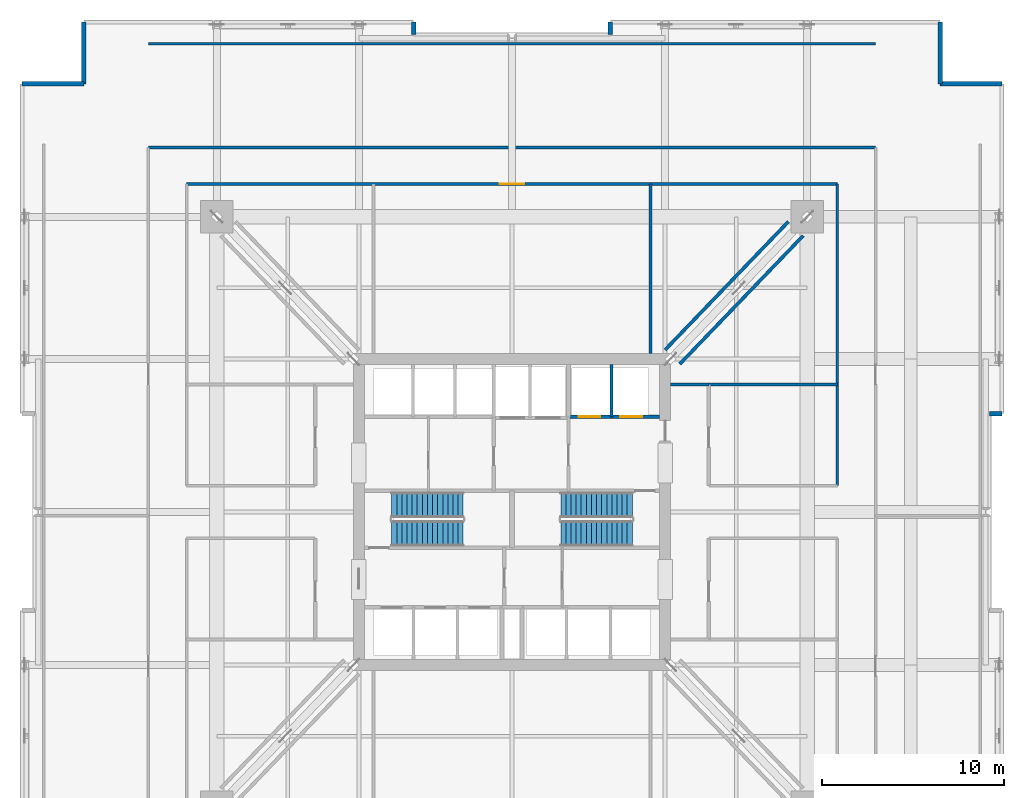
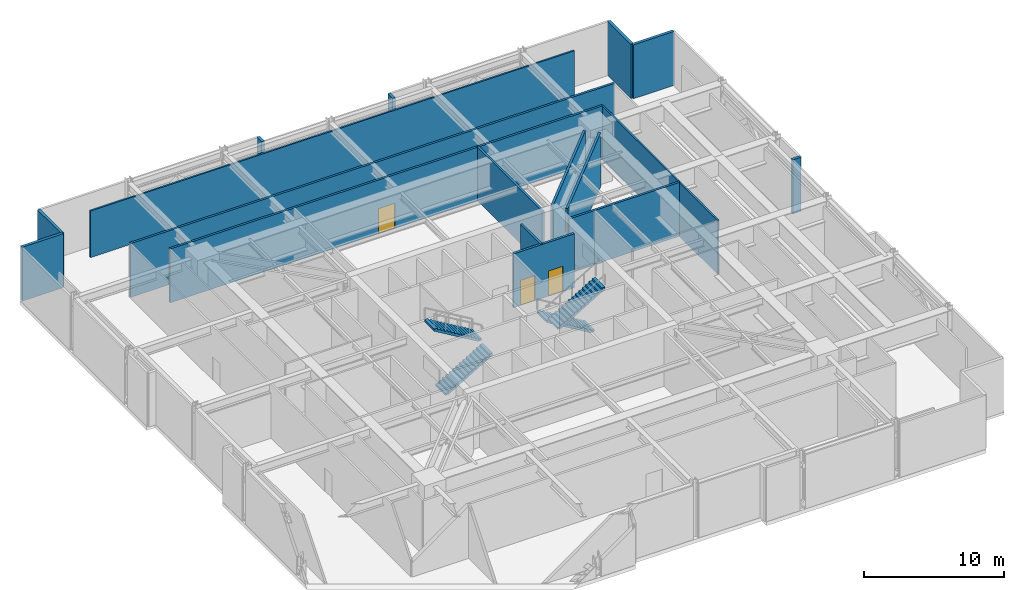
# One storey, part 9 of 13: 18 walls, 4 stair flights, 3 doors, 3 openings, 2 elements without a shape of their own.
"""IFC4 building model written with IfcOpenShell, lengths in metres."""

from ifc_helpers import new_model, si_unit, direction, frame, frame_2d, origin, place, context, subcontext, project, spatial, polyline, rectangle, outline, extrude, material, layer, layer_set, type_object, element, fill, aggregate, save


model = new_model("IFC4")

# Units and contexts
model_context = context("Model", 3, precision=1e-05, world=origin(), true_north=direction((0.0, 1.0)))
body_context = subcontext(model_context, "Body", "Model", "MODEL_VIEW")
ifc_project = project(units=[si_unit("LENGTHUNIT", "METRE"), si_unit("AREAUNIT", "SQUARE_METRE"), si_unit("VOLUMEUNIT", "CUBIC_METRE"), si_unit("PLANEANGLEUNIT", "RADIAN"), si_unit("MASSUNIT", "GRAM", prefix="KILO")], contexts=[model_context])

# Site, building, storey
site_placement = place(None, origin())
site = spatial("IfcSite", under=ifc_project, at=site_placement, CompositionType="ELEMENT")
building_placement = place(site_placement, origin())
building = spatial("IfcBuilding", under=site, at=building_placement, Name="Drelvath Grand Hotel", CompositionType="ELEMENT")
storey_placement = place(building_placement, frame((0.0, 0.0, 82.199951171875)))
storey = spatial("IfcBuildingStorey", under=building, at=storey_placement, Name="L20", CompositionType="ELEMENT", Elevation=82.199951171875)

# Wall, openings, doors
ifc_material_1 = material(Name="Concrete C40/50", Category="concrete")
ifc_layer_1 = layer(ifc_material_1, 0.199951171875)
ifc_layer_set_1 = layer_set([ifc_layer_1], Name="Concrete C40/50")
wall_type_1 = type_object("IfcWallType", Name="Core Hoistway Fire Wall 200", PredefinedType="SOLIDWALL", material=ifc_layer_set_1)
wall_1_placement = place(storey_placement, frame((3.10009765625, 32.219970703125, 0.0), z_axis=(0.0, 0.0, 1.0), x_axis=(1.0, 0.0, 0.0)))
wall_1 = element("IfcWall", 1, at=wall_1_placement, inside=storey, type_object=wall_type_1, Name="L20 FSAE Hoistway Front Wall", PredefinedType="SOLIDWALL", context=body_context, shape_type="SweptSolid", body=[
    extrude(rectangle(XDim=5.0, YDim=0.199951171875, at=frame_2d((2.5, 0.0))), origin(), (0.0, 0.0, 1.0), 4.699951171875),
])
opening_1_placement = place(wall_1_placement, frame((0.550048828125, 0.0, 0.0)))
opening_1 = element("IfcOpeningElement", 2, at=opening_1_placement, cuts=wall_1, Name="Opening LD-FSAE-1", PredefinedType="OPENING", context=body_context, shape_type="SweptSolid", body=[
    extrude(rectangle(XDim=1.199951171875, YDim=2.199951171875, at=frame_2d((0.60009765625, 1.10009765625))), frame((0.0, 0.10986328125, 0.0), z_axis=(0.0, -1.0, 0.0), x_axis=(1.0, 0.0, 0.0)), (0.0, 0.0, 1.0), 0.219970703125),
])
opening_2_placement = place(wall_1_placement, frame((2.85009765625, 0.0, 0.0)))
opening_2 = element("IfcOpeningElement", 3, at=opening_2_placement, cuts=wall_1, Name="Opening LD-FSAE-2", PredefinedType="OPENING", context=body_context, shape_type="SweptSolid", body=[
    extrude(rectangle(XDim=1.199951171875, YDim=2.199951171875, at=frame_2d((0.60009765625, 1.10009765625))), frame((0.0, 0.10986328125, 0.0), z_axis=(0.0, -1.0, 0.0), x_axis=(1.0, 0.0, 0.0)), (0.0, 0.0, 1.0), 0.219970703125),
])
ifc_material_2 = material(Name="Stainless Steel S355", Category="steel")
door_type_1 = type_object("IfcDoorType", Name="FSAE Lift Sliding Landing Door 1200x2200", OperationType="NOTDEFINED", PredefinedType="DOOR", material=ifc_material_2)
door_1_placement = place(opening_1_placement, origin())
door_1 = element("IfcDoor", 4, at=door_1_placement, inside=storey, type_object=door_type_1, Name="L20 Lift FSAE-1 Landing Door", OperationType="SLIDING_TO_LEFT", OverallHeight=2.199951171875, OverallWidth=1.199951171875, PredefinedType="DOOR", context=body_context, shape_type="SweptSolid", body=[
    extrude(rectangle(XDim=1.199951171875, YDim=2.199951171875, at=frame_2d((0.60009765625, 1.10009765625))), frame((0.0, 0.02490234375, 0.0), z_axis=(0.0, -1.0, 0.0), x_axis=(1.0, 0.0, 0.0)), (0.0, 0.0, 1.0), 0.050048828125),
])
fill(opening_1, door_1)
door_2_placement = place(opening_2_placement, origin())
door_2 = element("IfcDoor", 5, at=door_2_placement, inside=storey, type_object=door_type_1, Name="L20 Lift FSAE-2 Landing Door", OperationType="SLIDING_TO_LEFT", OverallHeight=2.199951171875, OverallWidth=1.199951171875, PredefinedType="DOOR", context=body_context, shape_type="SweptSolid", body=[
    extrude(rectangle(XDim=1.199951171875, YDim=2.199951171875, at=frame_2d((0.60009765625, 1.10009765625))), frame((0.0, 0.02490234375, 0.0), z_axis=(0.0, -1.0, 0.0), x_axis=(1.0, 0.0, 0.0)), (0.0, 0.0, 1.0), 0.050048828125),
])
fill(opening_2, door_2)

# Walls
ifc_material_3 = material(Name="Gypsum Fireboard Partition")
ifc_layer_2 = layer(ifc_material_3, 0.1650390625)
ifc_layer_set_2 = layer_set([ifc_layer_2], Name="Gypsum Fireboard Partition")
wall_type_2 = type_object("IfcWallType", Name="Core Shaft Partition 165", PredefinedType="PARTITIONING", material=ifc_layer_set_2)
wall_2_placement = place(storey_placement, frame((5.449951171875, 32.219970703125, 0.0), z_axis=(0.0, 0.0, 1.0), x_axis=(0.0, 1.0, 0.0)))
element("IfcWall", 6, at=wall_2_placement, inside=storey, type_object=wall_type_2, Name="L20 FSAE Hoistway Divider", PredefinedType="PARTITIONING", context=body_context, shape_type="SweptSolid", body=[
    extrude(rectangle(XDim=2.880126953125, YDim=0.1650390625, at=frame_2d((1.43994140625, 0.0))), origin(), (0.0, 0.0, 1.0), 4.699951171875),
])
ifc_layer_3 = layer(ifc_material_3, 0.135009765625)
ifc_layer_set_3 = layer_set([ifc_layer_3], Name="Gypsum Fireboard Partition")
wall_type_3 = type_object("IfcWallType", Name="Corridor Fire Barrier Wall 135", PredefinedType="PARTITIONING", material=ifc_layer_set_3)
wall_3_placement = place(storey_placement, frame((-19.949951171875, 52.699951171875, 0.0), z_axis=(0.0, 0.0, 1.0), x_axis=(1.0, 0.0, 0.0)))
element("IfcWall", 7, at=wall_3_placement, inside=storey, type_object=wall_type_3, Name="L20 North Belt Plenum Wall", PredefinedType="PARTITIONING", context=body_context, shape_type="SweptSolid", body=[
    extrude(rectangle(XDim=39.89990234375, YDim=0.135009765625, at=frame_2d((19.949951171875, 0.0))), origin(), (0.0, 0.0, 1.0), 4.073974609375),
])
wall_4_placement = place(storey_placement, frame((17.85009765625, 28.449951171875, 0.0), z_axis=(0.0, 0.0, 1.0), x_axis=(0.0, 1.0, 0.0)))
element("IfcWall", 8, at=wall_4_placement, inside=storey, type_object=wall_type_3, Name="L20 East Outer Leg Inner N", PredefinedType="PARTITIONING", context=body_context, shape_type="SweptSolid", body=[
    extrude(rectangle(XDim=16.550048828125, YDim=0.135009765625, at=frame_2d((8.27490234375, 0.0))), origin(), (0.0, 0.0, 1.0), 4.699951171875),
])
ifc_layer_4 = layer(ifc_material_3, 0.179931640625)
ifc_layer_set_4 = layer_set([ifc_layer_4], Name="Gypsum Fireboard Partition")
wall_type_4 = type_object("IfcWallType", Name="FSAE Smoke Lobby Fire Wall 180", PredefinedType="SOLIDWALL", material=ifc_layer_set_4)
for number, where, z_axis, x_axis, name in (
    (9, (9.20751953125, 35.1201171875, 0.0), (0.0, 0.0, 1.0), (0.693128689913, 0.720813858926, 0.0), "L20 Truss NE Fire Bulkhead A"),
    (10, (8.400390625, 35.896240234375, 0.0), (0.0, 0.0, 1.0), (0.693103223405, 0.720838346445, 0.0), "L20 Truss NE Fire Bulkhead B"),
):
    element("IfcWall", number, at=place(storey_placement, frame(where, z_axis=z_axis, x_axis=x_axis)), inside=storey, type_object=wall_type_4, Name=name, PredefinedType="SOLIDWALL", context=body_context, shape_type="SweptSolid", body=[
        extrude(rectangle(XDim=9.770751953125, YDim=0.179931640625, at=frame_2d((4.88525390625, 0.0))), origin(), (0.0, 0.0, 1.0), 4.699951171875),
    ])
wall_5_placement = place(storey_placement, frame((8.699951171875, 34.0, 0.0), z_axis=(0.0, 0.0, 1.0), x_axis=(1.0, 0.0, 0.0)))
element("IfcWall", 11, at=wall_5_placement, inside=storey, type_object=wall_type_4, Name="L20 Plant East Foyer North End", PredefinedType="SOLIDWALL", context=body_context, shape_type="SweptSolid", body=[
    extrude(rectangle(XDim=2.10009765625, YDim=0.179931640625, at=frame_2d((1.050048828125, 0.0))), origin(), (0.0, 0.0, 1.0), 4.699951171875),
])

# Wall, opening, door
wall_6_placement = place(storey_placement, frame((-17.85009765625, 45.0, 0.0), z_axis=(0.0, 0.0, 1.0), x_axis=(1.0, 0.0, 0.0)))
wall_6 = element("IfcWall", 12, at=wall_6_placement, inside=storey, type_object=wall_type_4, Name="L20 North Connector Inner Wall", PredefinedType="SOLIDWALL", context=body_context, shape_type="SweptSolid", body=[
    extrude(rectangle(XDim=35.7001953125, YDim=0.179931640625, at=frame_2d((17.85009765625, 0.0))), origin(), (0.0, 0.0, 1.0), 4.699951171875),
])
opening_3_placement = place(wall_6_placement, frame((17.169921875, 0.0, 0.0)))
opening_3 = element("IfcOpeningElement", 13, at=opening_3_placement, cuts=wall_6, Name="Opening D-L20-019", PredefinedType="OPENING", context=body_context, shape_type="SweptSolid", body=[
    extrude(rectangle(XDim=1.360107421875, YDim=2.199951171875, at=frame_2d((0.68017578125, 1.10009765625))), frame((0.0, 0.099853515625, 0.0), z_axis=(0.0, -1.0, 0.0), x_axis=(1.0, 0.0, 0.0)), (0.0, 0.0, 1.0), 0.199951171875),
])
ifc_material_4 = material(Name="Painted Steel S275", Category="steel")
door_type_2 = type_object("IfcDoorType", Name="Plant Equipment Double Fire Door 1360x2200", OperationType="NOTDEFINED", PredefinedType="DOOR", material=ifc_material_4)
door_3_placement = place(opening_3_placement, origin())
door_3 = element("IfcDoor", 14, at=door_3_placement, inside=storey, type_object=door_type_2, Name="L20 North Refuge Area Door", OperationType="SINGLE_SWING_RIGHT", OverallHeight=2.199951171875, OverallWidth=1.360107421875, PredefinedType="DOOR", context=body_context, shape_type="SweptSolid", body=[
    extrude(rectangle(XDim=1.360107421875, YDim=2.199951171875, at=frame_2d((0.68017578125, 1.10009765625))), frame((0.0, 0.02490234375, 0.0), z_axis=(0.0, -1.0, 0.0), x_axis=(1.0, 0.0, 0.0)), (0.0, 0.0, 1.0), 0.050048828125),
])
fill(opening_3, door_3)

# Walls
wall_7_placement = place(storey_placement, frame((-19.949951171875, 47.0, 0.0), z_axis=(0.0, 0.0, 1.0), x_axis=(1.0, 0.0, 0.0)))
element("IfcWall", 15, at=wall_7_placement, inside=storey, type_object=wall_type_4, Name="L20 North Connector Outer Wall", PredefinedType="SOLIDWALL", context=body_context, shape_type="SweptSolid", body=[
    extrude(rectangle(XDim=39.89990234375, YDim=0.179931640625, at=frame_2d((19.949951171875, 0.0))), origin(), (0.0, 0.0, 1.0), 4.699951171875),
])
wall_8_placement = place(storey_placement, frame((7.60009765625, 35.699951171875, 0.0), z_axis=(0.0, 0.0, 1.0), x_axis=(0.0, 1.0, 0.0)))
element("IfcWall", 16, at=wall_8_placement, inside=storey, type_object=wall_type_4, Name="L20 North Refuge Inner East Wall", PredefinedType="SOLIDWALL", context=body_context, shape_type="SweptSolid", body=[
    extrude(rectangle(XDim=9.300048828125, YDim=0.179931640625, at=frame_2d((4.64990234375, 0.0))), origin(), (0.0, 0.0, 1.0), 4.699951171875),
])
wall_9_placement = place(storey_placement, frame((10.800048828125, 34.0, 0.0), z_axis=(0.0, 0.0, 1.0), x_axis=(1.0, 0.0, 0.0)))
element("IfcWall", 17, at=wall_9_placement, inside=storey, type_object=wall_type_4, Name="L20 East Inner Plant North Wall", PredefinedType="SOLIDWALL", context=body_context, shape_type="SweptSolid", body=[
    extrude(rectangle(XDim=7.050048828125, YDim=0.179931640625, at=frame_2d((3.52490234375, 0.0))), origin(), (0.0, 0.0, 1.0), 4.699951171875),
])
ifc_material_5 = material(Name="Pale-Metal Insulated Aluminium Spandrel Assembly", Category="aluminium")
ifc_layer_5 = layer(ifc_material_5, 0.239990234375)
ifc_layer_set_5 = layer_set([ifc_layer_5], Name="Pale-Metal Insulated Aluminium Spandrel Assembly")
wall_type_5 = type_object("IfcWallType", Name="Tower Insulated Metal Spandrel Closure Wall 240", PredefinedType="STANDARD", material=ifc_layer_set_5)
for number, where, z_axis, x_axis, name in (
    (18, (-26.8798828125, 50.5, 0.0), (0.0, 0.0, 1.0), (1.0, 0.0, 0.0), "L20 Notched Corner Return Spandrel Wall CNW1"),
    (19, (-23.5, 50.5, 0.0), (0.0, 0.0, 1.0), (0.0, 1.0, 0.0), "L20 Notched Corner Return Spandrel Wall CNW2"),
    (20, (23.5, 53.8798828125, 0.0), (0.0, 0.0, 1.0), (0.0, -1.0, 0.0), "L20 Notched Corner Return Spandrel Wall CNE1"),
    (21, (23.5, 50.5, 0.0), (0.0, 0.0, 1.0), (1.0, 0.0, 0.0), "L20 Notched Corner Return Spandrel Wall CNE2"),
):
    element("IfcWall", number, at=place(storey_placement, frame(where, z_axis=z_axis, x_axis=x_axis)), inside=storey, type_object=wall_type_5, Name=name, PredefinedType="STANDARD", context=body_context, shape_type="SweptSolid", body=[
        extrude(rectangle(XDim=3.3798828125, YDim=0.239990234375, at=frame_2d((1.68994140625, 0.0))), origin(), (0.0, 0.0, 1.0), 4.699951171875),
    ])
for number, where, z_axis, x_axis, name in (
    (22, (26.8798828125, 32.39990234375, 0.0), (0.0, 0.0, 1.0), (-1.0, 0.0, 0.0), "L20 Notched Corner Return Spandrel Wall RE1"),
    (23, (-5.39990234375, 53.8798828125, 0.0), (0.0, 0.0, 1.0), (0.0, -1.0, 0.0), "L20 Notched Corner Return Spandrel Wall RN1"),
    (24, (5.39990234375, 53.199951171875, 0.0), (0.0, 0.0, 1.0), (0.0, 1.0, 0.0), "L20 Notched Corner Return Spandrel Wall RN2"),
):
    element("IfcWall", number, at=place(storey_placement, frame(where, z_axis=z_axis, x_axis=x_axis)), inside=storey, type_object=wall_type_5, Name=name, PredefinedType="STANDARD", context=body_context, shape_type="SweptSolid", body=[
        extrude(rectangle(XDim=0.679931640625, YDim=0.239990234375, at=frame_2d((0.33984375, 0.0))), origin(), (0.0, 0.0, 1.0), 4.699951171875),
    ])

# Stair, stair flights
stair_type = type_object("IfcStairType", Name="Dogleg Exit Stair W1400-R166.7", PredefinedType="HALF_TURN_STAIR", material=ifc_material_1)
stair_1_placement = place(storey_placement, origin())
stair_1 = element("IfcStair", 25, at=stair_1_placement, inside=storey, type_object=stair_type, Name="L20 Core Exit Stair ST-1", PredefinedType="HALF_TURN_STAIR")
stair_flight_type = type_object("IfcStairFlightType", Name="Concrete Stair Flight W1400-R166.7", PredefinedType="STRAIGHT", material=ifc_material_1)
stair_flight_1_placement = place(storey_placement, frame((-6.60009765625, 25.820068359375, 0.0), z_axis=(0.0, 0.0, 1.0), x_axis=(1.0, 0.0, 0.0)))
stair_flight_1 = element("IfcStairFlight", 26, at=stair_flight_1_placement, type_object=stair_flight_type, Name="ST-1 flight 1", NumberOfRisers=15, NumberOfTreads=14, PredefinedType="STRAIGHT", RiserHeight=0.166666667, TreadLength=0.28, context=body_context, shape_type="SweptSolid", body=[
    extrude(outline(polyline([(0.0, 0.0), (0.0, 0.166748046875), (0.280029296875, 0.166748046875), (0.280029296875, 0.333251953125), (0.56005859375, 0.333251953125), (0.56005859375, 0.5), (0.840087890625, 0.5), (0.840087890625, 0.666748046875), (1.1201171875, 0.666748046875), (1.1201171875, 0.833251953125), (1.39990234375, 0.833251953125), (1.39990234375, 1.0), (1.679931640625, 1.0), (1.679931640625, 1.166748046875), (1.9599609375, 1.166748046875), (1.9599609375, 1.333251953125), (2.239990234375, 1.333251953125), (2.239990234375, 1.5), (2.52001953125, 1.5), (2.52001953125, 1.666748046875), (2.800048828125, 1.666748046875), (2.800048828125, 1.833251953125), (3.080078125, 1.833251953125), (3.080078125, 2.0), (3.360107421875, 2.0), (3.360107421875, 2.166748046875), (3.639892578125, 2.166748046875), (3.639892578125, 2.333251953125), (3.919921875, 2.333251953125), (3.919921875, 2.5), (3.919921875, 2.147216796875), (0.312744140625, 0.0), (0.0, 0.0)])), frame((0.0, 0.699951171875, 0.0), z_axis=(0.0, -1.0, 0.0), x_axis=(1.0, 0.0, 0.0)), (0.0, 0.0, 1.0), 1.39990234375),
])
stair_flight_2_placement = place(storey_placement, frame((-2.679931640625, 27.3798828125, 2.5), z_axis=(0.0, 0.0, 1.0), x_axis=(-1.0, 0.0, 0.0)))
stair_flight_2 = element("IfcStairFlight", 27, at=stair_flight_2_placement, type_object=stair_flight_type, Name="ST-1 flight 2", NumberOfRisers=15, NumberOfTreads=14, PredefinedType="STRAIGHT", RiserHeight=0.166666667, TreadLength=0.28, context=body_context, shape_type="SweptSolid", body=[
    extrude(outline(polyline([(0.0, 0.0), (0.0, 0.166748046875), (0.280029296875, 0.166748046875), (0.280029296875, 0.333251953125), (0.56005859375, 0.333251953125), (0.56005859375, 0.5), (0.840087890625, 0.5), (0.840087890625, 0.666748046875), (1.1201171875, 0.666748046875), (1.1201171875, 0.833251953125), (1.39990234375, 0.833251953125), (1.39990234375, 1.0), (1.679931640625, 1.0), (1.679931640625, 1.166748046875), (1.9599609375, 1.166748046875), (1.9599609375, 1.333251953125), (2.239990234375, 1.333251953125), (2.239990234375, 1.5), (2.52001953125, 1.5), (2.52001953125, 1.666748046875), (2.800048828125, 1.666748046875), (2.800048828125, 1.833251953125), (3.080078125, 1.833251953125), (3.080078125, 2.0), (3.360107421875, 2.0), (3.360107421875, 2.166748046875), (3.639892578125, 2.166748046875), (3.639892578125, 2.333251953125), (3.919921875, 2.333251953125), (3.919921875, 2.5), (3.919921875, 2.147216796875), (0.312744140625, 0.0), (0.0, 0.0)])), frame((0.0, 0.699951171875, 0.0), z_axis=(0.0, -1.0, 0.0), x_axis=(1.0, 0.0, 0.0)), (0.0, 0.0, 1.0), 1.39990234375),
])
aggregate(stair_1, [stair_flight_1, stair_flight_2])

stair_2_placement = place(storey_placement, origin())
stair_2 = element("IfcStair", 28, at=stair_2_placement, inside=storey, type_object=stair_type, Name="L20 Core Exit Stair ST-2", PredefinedType="HALF_TURN_STAIR")
stair_flight_3_placement = place(storey_placement, frame((6.60009765625, 27.3798828125, 0.0), z_axis=(0.0, 0.0, 1.0), x_axis=(-1.0, 0.0, 0.0)))
stair_flight_3 = element("IfcStairFlight", 29, at=stair_flight_3_placement, type_object=stair_flight_type, Name="ST-2 flight 1", NumberOfRisers=15, NumberOfTreads=14, PredefinedType="STRAIGHT", RiserHeight=0.166666667, TreadLength=0.28, context=body_context, shape_type="SweptSolid", body=[
    extrude(outline(polyline([(0.0, 0.0), (0.0, 0.166748046875), (0.280029296875, 0.166748046875), (0.280029296875, 0.333251953125), (0.56005859375, 0.333251953125), (0.56005859375, 0.5), (0.840087890625, 0.5), (0.840087890625, 0.666748046875), (1.1201171875, 0.666748046875), (1.1201171875, 0.833251953125), (1.39990234375, 0.833251953125), (1.39990234375, 1.0), (1.679931640625, 1.0), (1.679931640625, 1.166748046875), (1.9599609375, 1.166748046875), (1.9599609375, 1.333251953125), (2.239990234375, 1.333251953125), (2.239990234375, 1.5), (2.52001953125, 1.5), (2.52001953125, 1.666748046875), (2.800048828125, 1.666748046875), (2.800048828125, 1.833251953125), (3.080078125, 1.833251953125), (3.080078125, 2.0), (3.360107421875, 2.0), (3.360107421875, 2.166748046875), (3.639892578125, 2.166748046875), (3.639892578125, 2.333251953125), (3.919921875, 2.333251953125), (3.919921875, 2.5), (3.919921875, 2.147216796875), (0.312744140625, 0.0), (0.0, 0.0)])), frame((0.0, 0.699951171875, 0.0), z_axis=(0.0, -1.0, 0.0), x_axis=(1.0, 0.0, 0.0)), (0.0, 0.0, 1.0), 1.39990234375),
])
stair_flight_4_placement = place(storey_placement, frame((2.679931640625, 25.820068359375, 2.5), z_axis=(0.0, 0.0, 1.0), x_axis=(1.0, 0.0, 0.0)))
stair_flight_4 = element("IfcStairFlight", 30, at=stair_flight_4_placement, type_object=stair_flight_type, Name="ST-2 flight 2", NumberOfRisers=15, NumberOfTreads=14, PredefinedType="STRAIGHT", RiserHeight=0.166666667, TreadLength=0.28, context=body_context, shape_type="SweptSolid", body=[
    extrude(outline(polyline([(0.0, 0.0), (0.0, 0.166748046875), (0.280029296875, 0.166748046875), (0.280029296875, 0.333251953125), (0.56005859375, 0.333251953125), (0.56005859375, 0.5), (0.840087890625, 0.5), (0.840087890625, 0.666748046875), (1.1201171875, 0.666748046875), (1.1201171875, 0.833251953125), (1.39990234375, 0.833251953125), (1.39990234375, 1.0), (1.679931640625, 1.0), (1.679931640625, 1.166748046875), (1.9599609375, 1.166748046875), (1.9599609375, 1.333251953125), (2.239990234375, 1.333251953125), (2.239990234375, 1.5), (2.52001953125, 1.5), (2.52001953125, 1.666748046875), (2.800048828125, 1.666748046875), (2.800048828125, 1.833251953125), (3.080078125, 1.833251953125), (3.080078125, 2.0), (3.360107421875, 2.0), (3.360107421875, 2.166748046875), (3.639892578125, 2.166748046875), (3.639892578125, 2.333251953125), (3.919921875, 2.333251953125), (3.919921875, 2.5), (3.919921875, 2.147216796875), (0.312744140625, 0.0), (0.0, 0.0)])), frame((0.0, 0.699951171875, 0.0), z_axis=(0.0, -1.0, 0.0), x_axis=(1.0, 0.0, 0.0)), (0.0, 0.0, 1.0), 1.39990234375),
])
aggregate(stair_2, [stair_flight_3, stair_flight_4])

save(model, "model.ifc")
